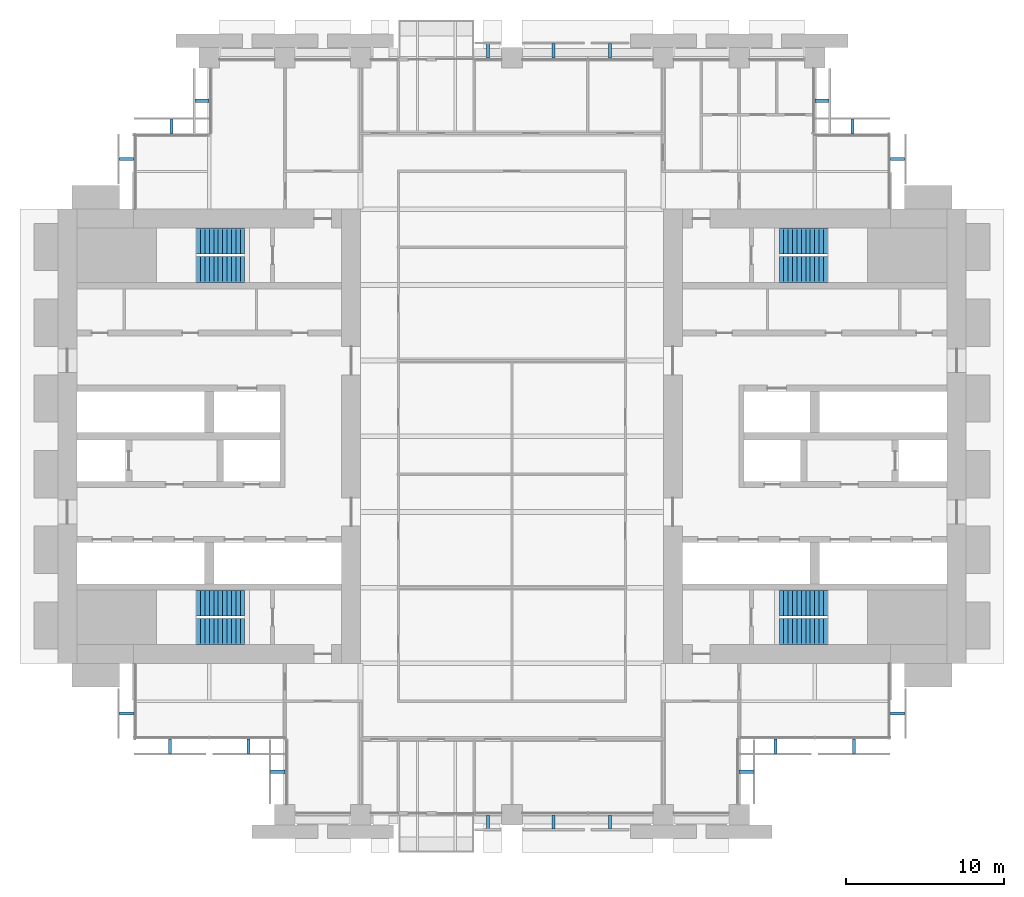
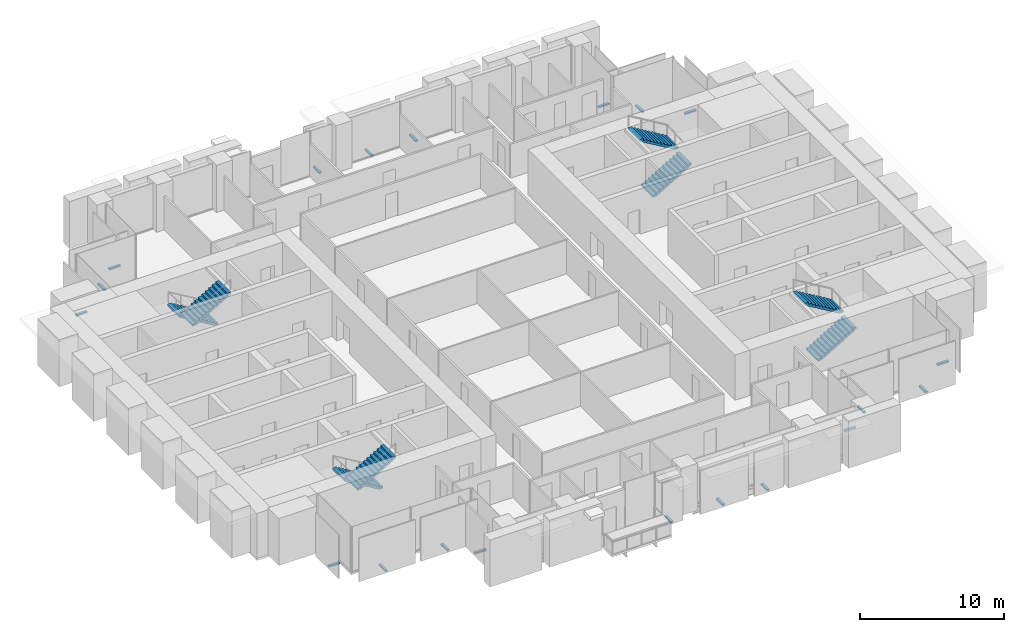
# One storey, part 13 of 15: 20 discrete accessories, 8 stair flights, 4 elements without a shape of their own.
"""IFC4 building model written with IfcOpenShell, lengths in metres."""

from ifc_helpers import new_model, si_unit, direction, frame, origin, origin_2d, place, context, subcontext, project, spatial, polyline, rectangle, outline, extrude, material, type_object, element, aggregate, save


model = new_model("IFC4")

# Units and contexts
model_context = context("Model", 3, precision=1e-05, world=origin(), true_north=direction((0.0, 1.0)))
body_context = subcontext(model_context, "Body", "Model", "MODEL_VIEW")
ifc_project = project(units=[si_unit("LENGTHUNIT", "METRE"), si_unit("AREAUNIT", "SQUARE_METRE"), si_unit("VOLUMEUNIT", "CUBIC_METRE"), si_unit("PLANEANGLEUNIT", "RADIAN"), si_unit("MASSUNIT", "GRAM", prefix="KILO")], contexts=[model_context])

# Site, building, storey
site_placement = place(None, origin())
site = spatial("IfcSite", under=ifc_project, at=site_placement, CompositionType="ELEMENT")
building_placement = place(site_placement, origin())
building = spatial("IfcBuilding", under=site, at=building_placement, Name="Baori Bourse Tower", CompositionType="ELEMENT")
storey_placement = place(building_placement, frame((0.0, 0.0, 71.0)))
storey = spatial("IfcBuildingStorey", under=building, at=storey_placement, Name="L15", CompositionType="ELEMENT", Elevation=71.0)

# Stair, stair flights
ifc_material_1 = material(Name="Concrete f'c 50 MPa", Category="concrete")
stair_type = type_object("IfcStairType", Name="Core stair", PredefinedType="HALF_TURN_STAIR", material=ifc_material_1)
stair_1_placement = place(storey_placement, origin())
stair_1 = element("IfcStair", 1, at=stair_1_placement, inside=storey, type_object=stair_type, Name="L15 Stair WA", PredefinedType="HALF_TURN_STAIR")
ifc_material_2 = material(Name="Concrete f'c 50 MPa", Category="concrete")
stair_flight_type = type_object("IfcStairFlightType", Name="Core stair flight", PredefinedType="STRAIGHT", material=ifc_material_2)
stair_flight_1_placement = place(storey_placement, frame((11.85009765625, 13.425048828125, 0.0), z_axis=(0.0, 0.0, 1.0), x_axis=(-1.0, 0.0, 0.0)))
stair_flight_1 = element("IfcStairFlight", 2, at=stair_flight_1_placement, type_object=stair_flight_type, Name="ST1 flight 1", NumberOfRisers=12, NumberOfTreads=11, PredefinedType="STRAIGHT", RiserHeight=0.166666667, TreadLength=0.28, context=body_context, shape_type="SweptSolid", body=[
    extrude(outline(polyline([(0.0, 0.0), (0.0, 0.166748046875), (0.280029296875, 0.166748046875), (0.280029296875, 0.333251953125), (0.56005859375, 0.333251953125), (0.56005859375, 0.5), (0.840087890625, 0.5), (0.840087890625, 0.666748046875), (1.1201171875, 0.666748046875), (1.1201171875, 0.833251953125), (1.39990234375, 0.833251953125), (1.39990234375, 1.0), (1.679931640625, 1.0), (1.679931640625, 1.166748046875), (1.9599609375, 1.166748046875), (1.9599609375, 1.333251953125), (2.239990234375, 1.333251953125), (2.239990234375, 1.5), (2.52001953125, 1.5), (2.52001953125, 1.666748046875), (2.800048828125, 1.666748046875), (2.800048828125, 1.833251953125), (3.080078125, 1.833251953125), (3.080078125, 2.0), (3.080078125, 1.658935546875), (0.29296875, 0.0), (0.0, 0.0)])), frame((0.0, 0.824951171875, 0.0), z_axis=(0.0, -1.0, 0.0), x_axis=(1.0, 0.0, 0.0)), (0.0, 0.0, 1.0), 1.64990234375),
])
stair_flight_2_placement = place(storey_placement, frame((8.77001953125, 11.625, 2.0), z_axis=(0.0, 0.0, 1.0), x_axis=(1.0, 0.0, 0.0)))
stair_flight_2 = element("IfcStairFlight", 3, at=stair_flight_2_placement, type_object=stair_flight_type, Name="ST1 flight 2", NumberOfRisers=12, NumberOfTreads=11, PredefinedType="STRAIGHT", RiserHeight=0.166666667, TreadLength=0.28, context=body_context, shape_type="SweptSolid", body=[
    extrude(outline(polyline([(0.0, 0.0), (0.0, 0.166748046875), (0.280029296875, 0.166748046875), (0.280029296875, 0.333251953125), (0.56005859375, 0.333251953125), (0.56005859375, 0.5), (0.840087890625, 0.5), (0.840087890625, 0.666748046875), (1.1201171875, 0.666748046875), (1.1201171875, 0.833251953125), (1.39990234375, 0.833251953125), (1.39990234375, 1.0), (1.679931640625, 1.0), (1.679931640625, 1.166748046875), (1.9599609375, 1.166748046875), (1.9599609375, 1.333251953125), (2.239990234375, 1.333251953125), (2.239990234375, 1.5), (2.52001953125, 1.5), (2.52001953125, 1.666748046875), (2.800048828125, 1.666748046875), (2.800048828125, 1.833251953125), (3.080078125, 1.833251953125), (3.080078125, 2.0), (3.080078125, 1.658935546875), (0.29296875, 0.0), (0.0, 0.0)])), frame((0.0, 0.824951171875, 0.0), z_axis=(0.0, -1.0, 0.0), x_axis=(1.0, 0.0, 0.0)), (0.0, 0.0, 1.0), 1.64990234375),
])
aggregate(stair_1, [stair_flight_1, stair_flight_2])

stair_2_placement = place(storey_placement, origin())
stair_2 = element("IfcStair", 4, at=stair_2_placement, inside=storey, type_object=stair_type, Name="L15 Stair WB", PredefinedType="HALF_TURN_STAIR")
stair_flight_3_placement = place(storey_placement, frame((11.85009765625, 36.375, 0.0), z_axis=(0.0, 0.0, 1.0), x_axis=(-1.0, 0.0, 0.0)))
stair_flight_3 = element("IfcStairFlight", 5, at=stair_flight_3_placement, type_object=stair_flight_type, Name="ST2 flight 1", NumberOfRisers=12, NumberOfTreads=11, PredefinedType="STRAIGHT", RiserHeight=0.166666667, TreadLength=0.28, context=body_context, shape_type="SweptSolid", body=[
    extrude(outline(polyline([(0.0, 0.0), (0.0, 0.166748046875), (0.280029296875, 0.166748046875), (0.280029296875, 0.333251953125), (0.56005859375, 0.333251953125), (0.56005859375, 0.5), (0.840087890625, 0.5), (0.840087890625, 0.666748046875), (1.1201171875, 0.666748046875), (1.1201171875, 0.833251953125), (1.39990234375, 0.833251953125), (1.39990234375, 1.0), (1.679931640625, 1.0), (1.679931640625, 1.166748046875), (1.9599609375, 1.166748046875), (1.9599609375, 1.333251953125), (2.239990234375, 1.333251953125), (2.239990234375, 1.5), (2.52001953125, 1.5), (2.52001953125, 1.666748046875), (2.800048828125, 1.666748046875), (2.800048828125, 1.833251953125), (3.080078125, 1.833251953125), (3.080078125, 2.0), (3.080078125, 1.658935546875), (0.29296875, 0.0), (0.0, 0.0)])), frame((0.0, 0.824951171875, 0.0), z_axis=(0.0, -1.0, 0.0), x_axis=(1.0, 0.0, 0.0)), (0.0, 0.0, 1.0), 1.64990234375),
])
stair_flight_4_placement = place(storey_placement, frame((8.77001953125, 34.574951171875, 2.0), z_axis=(0.0, 0.0, 1.0), x_axis=(1.0, 0.0, 0.0)))
stair_flight_4 = element("IfcStairFlight", 6, at=stair_flight_4_placement, type_object=stair_flight_type, Name="ST2 flight 2", NumberOfRisers=12, NumberOfTreads=11, PredefinedType="STRAIGHT", RiserHeight=0.166666667, TreadLength=0.28, context=body_context, shape_type="SweptSolid", body=[
    extrude(outline(polyline([(0.0, 0.0), (0.0, 0.166748046875), (0.280029296875, 0.166748046875), (0.280029296875, 0.333251953125), (0.56005859375, 0.333251953125), (0.56005859375, 0.5), (0.840087890625, 0.5), (0.840087890625, 0.666748046875), (1.1201171875, 0.666748046875), (1.1201171875, 0.833251953125), (1.39990234375, 0.833251953125), (1.39990234375, 1.0), (1.679931640625, 1.0), (1.679931640625, 1.166748046875), (1.9599609375, 1.166748046875), (1.9599609375, 1.333251953125), (2.239990234375, 1.333251953125), (2.239990234375, 1.5), (2.52001953125, 1.5), (2.52001953125, 1.666748046875), (2.800048828125, 1.666748046875), (2.800048828125, 1.833251953125), (3.080078125, 1.833251953125), (3.080078125, 2.0), (3.080078125, 1.658935546875), (0.29296875, 0.0), (0.0, 0.0)])), frame((0.0, 0.824951171875, 0.0), z_axis=(0.0, -1.0, 0.0), x_axis=(1.0, 0.0, 0.0)), (0.0, 0.0, 1.0), 1.64990234375),
])
aggregate(stair_2, [stair_flight_3, stair_flight_4])

stair_3_placement = place(storey_placement, origin())
stair_3 = element("IfcStair", 7, at=stair_3_placement, inside=storey, type_object=stair_type, Name="L15 Stair EA", PredefinedType="HALF_TURN_STAIR")
stair_flight_5_placement = place(storey_placement, frame((45.75, 11.625, 0.0), z_axis=(0.0, 0.0, 1.0), x_axis=(1.0, 0.0, 0.0)))
stair_flight_5 = element("IfcStairFlight", 8, at=stair_flight_5_placement, type_object=stair_flight_type, Name="ST3 flight 1", NumberOfRisers=12, NumberOfTreads=11, PredefinedType="STRAIGHT", RiserHeight=0.166666667, TreadLength=0.28, context=body_context, shape_type="SweptSolid", body=[
    extrude(outline(polyline([(0.0, 0.0), (0.0, 0.166748046875), (0.280029296875, 0.166748046875), (0.280029296875, 0.333251953125), (0.56005859375, 0.333251953125), (0.56005859375, 0.5), (0.840087890625, 0.5), (0.840087890625, 0.666748046875), (1.1201171875, 0.666748046875), (1.1201171875, 0.833251953125), (1.39990234375, 0.833251953125), (1.39990234375, 1.0), (1.679931640625, 1.0), (1.679931640625, 1.166748046875), (1.9599609375, 1.166748046875), (1.9599609375, 1.333251953125), (2.239990234375, 1.333251953125), (2.239990234375, 1.5), (2.52001953125, 1.5), (2.52001953125, 1.666748046875), (2.800048828125, 1.666748046875), (2.800048828125, 1.833251953125), (3.080078125, 1.833251953125), (3.080078125, 2.0), (3.080078125, 1.658935546875), (0.29296875, 0.0), (0.0, 0.0)])), frame((0.0, 0.824951171875, 0.0), z_axis=(0.0, -1.0, 0.0), x_axis=(1.0, 0.0, 0.0)), (0.0, 0.0, 1.0), 1.64990234375),
])
stair_flight_6_placement = place(storey_placement, frame((48.830078125, 13.425048828125, 2.0), z_axis=(0.0, 0.0, 1.0), x_axis=(-1.0, 0.0, 0.0)))
stair_flight_6 = element("IfcStairFlight", 9, at=stair_flight_6_placement, type_object=stair_flight_type, Name="ST3 flight 2", NumberOfRisers=12, NumberOfTreads=11, PredefinedType="STRAIGHT", RiserHeight=0.166666667, TreadLength=0.28, context=body_context, shape_type="SweptSolid", body=[
    extrude(outline(polyline([(0.0, 0.0), (0.0, 0.166748046875), (0.280029296875, 0.166748046875), (0.280029296875, 0.333251953125), (0.56005859375, 0.333251953125), (0.56005859375, 0.5), (0.840087890625, 0.5), (0.840087890625, 0.666748046875), (1.1201171875, 0.666748046875), (1.1201171875, 0.833251953125), (1.39990234375, 0.833251953125), (1.39990234375, 1.0), (1.679931640625, 1.0), (1.679931640625, 1.166748046875), (1.9599609375, 1.166748046875), (1.9599609375, 1.333251953125), (2.239990234375, 1.333251953125), (2.239990234375, 1.5), (2.52001953125, 1.5), (2.52001953125, 1.666748046875), (2.800048828125, 1.666748046875), (2.800048828125, 1.833251953125), (3.080078125, 1.833251953125), (3.080078125, 2.0), (3.080078125, 1.658935546875), (0.29296875, 0.0), (0.0, 0.0)])), frame((0.0, 0.824951171875, 0.0), z_axis=(0.0, -1.0, 0.0), x_axis=(1.0, 0.0, 0.0)), (0.0, 0.0, 1.0), 1.64990234375),
])
aggregate(stair_3, [stair_flight_5, stair_flight_6])

stair_4_placement = place(storey_placement, origin())
stair_4 = element("IfcStair", 10, at=stair_4_placement, inside=storey, type_object=stair_type, Name="L15 Stair EB", PredefinedType="HALF_TURN_STAIR")
stair_flight_7_placement = place(storey_placement, frame((45.75, 34.574951171875, 0.0), z_axis=(0.0, 0.0, 1.0), x_axis=(1.0, 0.0, 0.0)))
stair_flight_7 = element("IfcStairFlight", 11, at=stair_flight_7_placement, type_object=stair_flight_type, Name="ST4 flight 1", NumberOfRisers=12, NumberOfTreads=11, PredefinedType="STRAIGHT", RiserHeight=0.166666667, TreadLength=0.28, context=body_context, shape_type="SweptSolid", body=[
    extrude(outline(polyline([(0.0, 0.0), (0.0, 0.166748046875), (0.280029296875, 0.166748046875), (0.280029296875, 0.333251953125), (0.56005859375, 0.333251953125), (0.56005859375, 0.5), (0.840087890625, 0.5), (0.840087890625, 0.666748046875), (1.1201171875, 0.666748046875), (1.1201171875, 0.833251953125), (1.39990234375, 0.833251953125), (1.39990234375, 1.0), (1.679931640625, 1.0), (1.679931640625, 1.166748046875), (1.9599609375, 1.166748046875), (1.9599609375, 1.333251953125), (2.239990234375, 1.333251953125), (2.239990234375, 1.5), (2.52001953125, 1.5), (2.52001953125, 1.666748046875), (2.800048828125, 1.666748046875), (2.800048828125, 1.833251953125), (3.080078125, 1.833251953125), (3.080078125, 2.0), (3.080078125, 1.658935546875), (0.29296875, 0.0), (0.0, 0.0)])), frame((0.0, 0.824951171875, 0.0), z_axis=(0.0, -1.0, 0.0), x_axis=(1.0, 0.0, 0.0)), (0.0, 0.0, 1.0), 1.64990234375),
])
stair_flight_8_placement = place(storey_placement, frame((48.830078125, 36.375, 2.0), z_axis=(0.0, 0.0, 1.0), x_axis=(-1.0, 0.0, 0.0)))
stair_flight_8 = element("IfcStairFlight", 12, at=stair_flight_8_placement, type_object=stair_flight_type, Name="ST4 flight 2", NumberOfRisers=12, NumberOfTreads=11, PredefinedType="STRAIGHT", RiserHeight=0.166666667, TreadLength=0.28, context=body_context, shape_type="SweptSolid", body=[
    extrude(outline(polyline([(0.0, 0.0), (0.0, 0.166748046875), (0.280029296875, 0.166748046875), (0.280029296875, 0.333251953125), (0.56005859375, 0.333251953125), (0.56005859375, 0.5), (0.840087890625, 0.5), (0.840087890625, 0.666748046875), (1.1201171875, 0.666748046875), (1.1201171875, 0.833251953125), (1.39990234375, 0.833251953125), (1.39990234375, 1.0), (1.679931640625, 1.0), (1.679931640625, 1.166748046875), (1.9599609375, 1.166748046875), (1.9599609375, 1.333251953125), (2.239990234375, 1.333251953125), (2.239990234375, 1.5), (2.52001953125, 1.5), (2.52001953125, 1.666748046875), (2.800048828125, 1.666748046875), (2.800048828125, 1.833251953125), (3.080078125, 1.833251953125), (3.080078125, 2.0), (3.080078125, 1.658935546875), (0.29296875, 0.0), (0.0, 0.0)])), frame((0.0, 0.824951171875, 0.0), z_axis=(0.0, -1.0, 0.0), x_axis=(1.0, 0.0, 0.0)), (0.0, 0.0, 1.0), 1.64990234375),
])
aggregate(stair_4, [stair_flight_7, stair_flight_8])

# Discrete accessories
ifc_material_3 = material(Name="Pale anodised aluminium", Category="aluminium")
discrete_accessory_type = type_object("IfcDiscreteAccessoryType", Name="OS2 Outer skin bracket", PredefinedType="BRACKET", material=ifc_material_3)
for number, where, z_axis, x_axis, name in (
    (13, (53.25, 41.574951171875, -0.14404296875), (0.0, 0.0, 1.0), (0.0, 1.0, 0.0), "Outer skin bracket L15 1"),
    (14, (50.39990234375, 43.64990234375, -0.14404296875), (0.0, 0.0, 1.0), (-1.0, 0.0, 0.0), "Outer skin bracket L15 2"),
    (15, (48.449951171875, 45.27490234375, -0.14404296875), (0.0, 0.0, 1.0), (0.0, 1.0, 0.0), "Outer skin bracket L15 3"),
    (16, (35.012451171875, 48.449951171875, -0.14404296875), (0.0, 0.0, 1.0), (-1.0, 0.0, 0.0), "Outer skin bracket L15 4"),
    (17, (31.4375, 48.449951171875, -0.14404296875), (0.0, 0.0, 1.0), (-1.0, 0.0, 0.0), "Outer skin bracket L15 5"),
    (18, (27.27490234375, 48.449951171875, -0.14404296875), (0.0, 0.0, 1.0), (-1.0, 0.0, 0.0), "Outer skin bracket L15 6"),
    (19, (9.14990234375, 45.27490234375, -0.14404296875), (0.0, 0.0, 1.0), (0.0, -1.0, 0.0), "Outer skin bracket L15 7"),
    (20, (7.199951171875, 43.64990234375, -0.14404296875), (0.0, 0.0, 1.0), (-1.0, 0.0, 0.0), "Outer skin bracket L15 8"),
    (21, (4.35009765625, 41.574951171875, -0.14404296875), (0.0, 0.0, 1.0), (0.0, -1.0, 0.0), "Outer skin bracket L15 9"),
    (22, (4.35009765625, 6.425048828125, -0.14404296875), (0.0, 0.0, 1.0), (0.0, -1.0, 0.0), "Outer skin bracket L15 10"),
    (23, (7.112548828125, 4.35009765625, -0.14404296875), (0.0, 0.0, 1.0), (1.0, 0.0, 0.0), "Outer skin bracket L15 11"),
    (24, (12.08740234375, 4.35009765625, -0.14404296875), (0.0, 0.0, 1.0), (1.0, 0.0, 0.0), "Outer skin bracket L15 12"),
    (25, (13.949951171875, 2.72509765625, -0.14404296875), (0.0, 0.0, 1.0), (0.0, -1.0, 0.0), "Outer skin bracket L15 13"),
    (26, (27.27490234375, -0.449951171875, -0.14404296875), (0.0, 0.0, 1.0), (1.0, 0.0, 0.0), "Outer skin bracket L15 14"),
    (27, (31.4375, -0.449951171875, -0.14404296875), (0.0, 0.0, 1.0), (1.0, 0.0, 0.0), "Outer skin bracket L15 15"),
    (28, (35.012451171875, -0.449951171875, -0.14404296875), (0.0, 0.0, 1.0), (1.0, 0.0, 0.0), "Outer skin bracket L15 16"),
    (29, (43.64990234375, 2.72509765625, -0.14404296875), (0.0, 0.0, 1.0), (0.0, 1.0, 0.0), "Outer skin bracket L15 17"),
    (30, (45.512451171875, 4.35009765625, -0.14404296875), (0.0, 0.0, 1.0), (1.0, 0.0, 0.0), "Outer skin bracket L15 18"),
    (31, (50.487548828125, 4.35009765625, -0.14404296875), (0.0, 0.0, 1.0), (1.0, 0.0, 0.0), "Outer skin bracket L15 19"),
    (32, (53.25, 6.425048828125, -0.14404296875), (0.0, 0.0, 1.0), (0.0, 1.0, 0.0), "Outer skin bracket L15 20"),
):
    element("IfcDiscreteAccessory", number, at=place(storey_placement, frame(where, z_axis=z_axis, x_axis=x_axis)), inside=storey, type_object=discrete_accessory_type, Name=name, PredefinedType="BRACKET", context=body_context, shape_type="SweptSolid", body=[
        extrude(rectangle(XDim=0.199951171875, YDim=0.89990234375, at=origin_2d()), origin(), (0.0, 0.0, 1.0), 0.1279296875),
    ])

save(model, "model.ifc")
